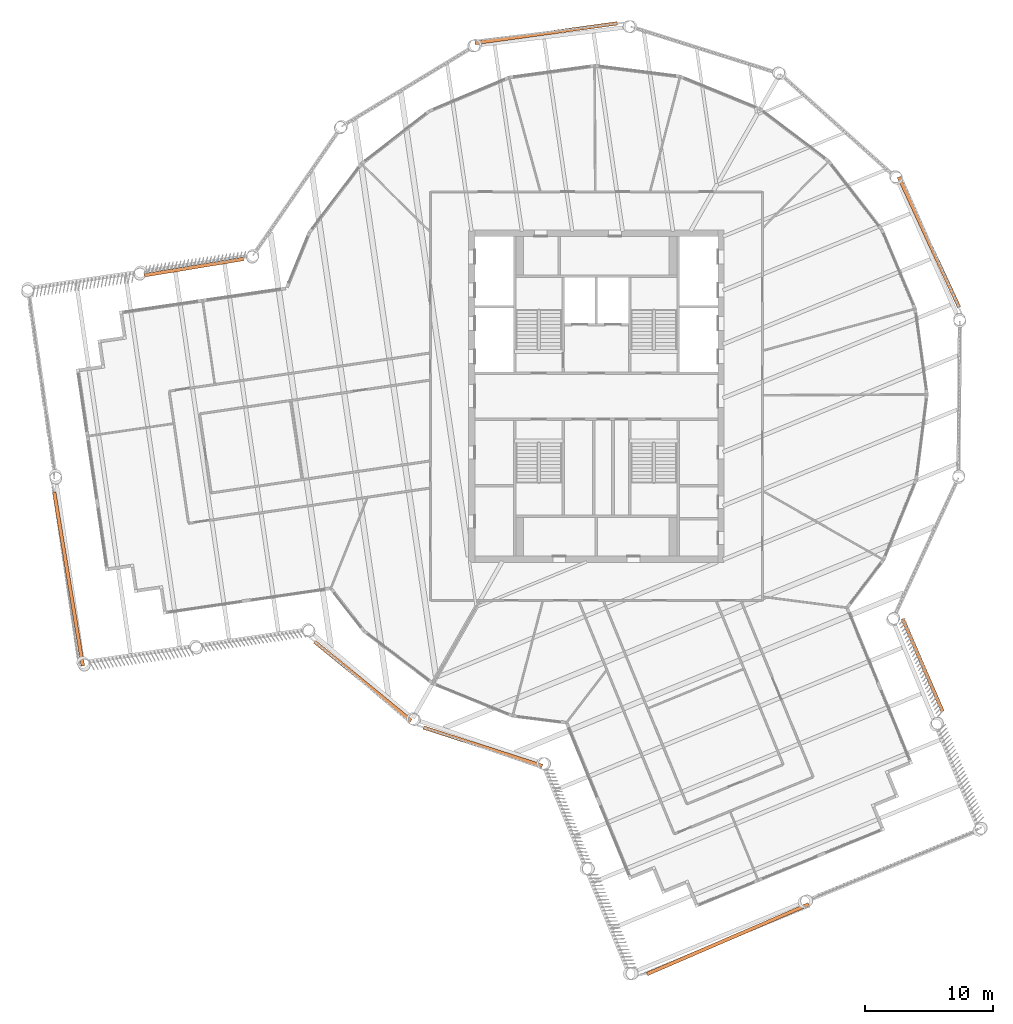
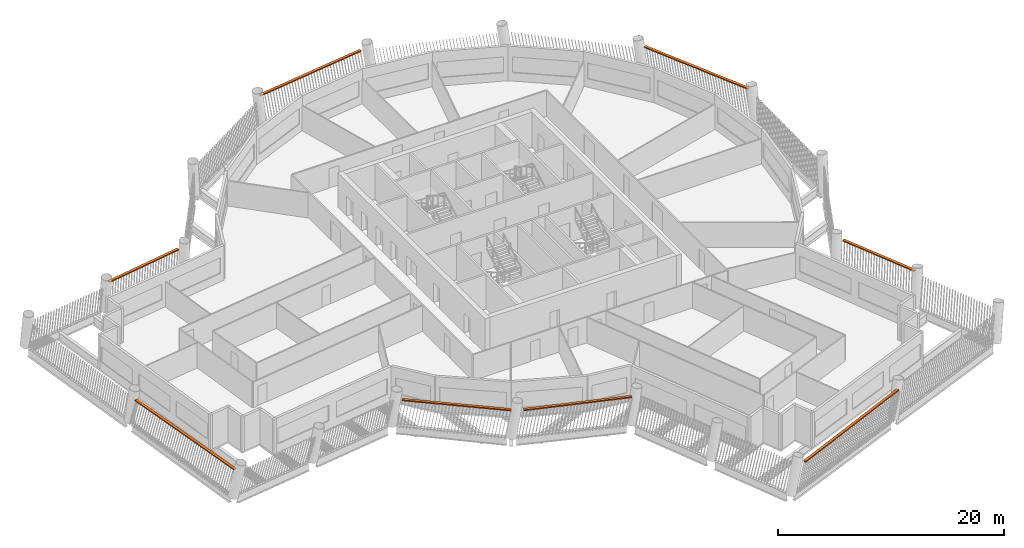
# One storey, part 15 of 15: 8 proxies.
"""IFC4 building model written with IfcOpenShell, lengths in metres."""

from ifc_helpers import new_model, si_unit, direction, frame, origin, origin_2d, place, context, subcontext, project, spatial, rectangle, extrude, material, type_object, element, save


model = new_model("IFC4")

# Units and contexts
model_context = context("Model", 3, precision=1e-05, world=origin(), true_north=direction((0.0, 1.0)))
body_context = subcontext(model_context, "Body", "Model", "MODEL_VIEW")
ifc_project = project(units=[si_unit("LENGTHUNIT", "METRE"), si_unit("AREAUNIT", "SQUARE_METRE"), si_unit("VOLUMEUNIT", "CUBIC_METRE"), si_unit("PLANEANGLEUNIT", "RADIAN"), si_unit("MASSUNIT", "GRAM", prefix="KILO")], contexts=[model_context])

# Site, building, storey
site_placement = place(None, origin())
site = spatial("IfcSite", under=ifc_project, at=site_placement, CompositionType="ELEMENT")
building_placement = place(site_placement, origin())
building = spatial("IfcBuilding", under=site, at=building_placement, Name="Tarsis Ring Headquarters", CompositionType="ELEMENT")
storey_placement = place(building_placement, frame((0.0, 0.0, 319.699951171875)))
storey = spatial("IfcBuildingStorey", under=building, at=storey_placement, Name="L75", CompositionType="ELEMENT", Elevation=319.699951171875)

# Proxies
ifc_material = material(Name="Structural steel S355", Category="steel")
building_element_proxy_type = type_object("IfcBuildingElementProxyType", Name="Screen bracket plate", PredefinedType="USERDEFINED", material=ifc_material)
proxy_1_placement = place(storey_placement, frame((-8.890380859375, -27.435302734375, 2.9677734375), z_axis=(0.0, 0.0, 1.0), x_axis=(0.951298822094, -0.308270256565, 0.0)))
element("IfcBuildingElementProxy", 1, at=proxy_1_placement, inside=storey, type_object=building_element_proxy_type, Name="Screen bracket L75-00", ObjectType="Bracket", PredefinedType="USERDEFINED", context=body_context, shape_type="SweptSolid", body=[
    extrude(rectangle(XDim=9.771728515625, YDim=0.280029296875, at=origin_2d()), origin(), (0.0, 0.0, 1.0), 0.1201171875),
])
proxy_2_placement = place(storey_placement, frame((10.2939453125, -42.49658203125, 2.9677734375), z_axis=(0.0, 0.0, 1.0), x_axis=(0.918031663543, 0.396507080307, 0.0)))
element("IfcBuildingElementProxy", 2, at=proxy_2_placement, inside=storey, type_object=building_element_proxy_type, Name="Screen bracket L75-03", ObjectType="Bracket", PredefinedType="USERDEFINED", context=body_context, shape_type="SweptSolid", body=[
    extrude(rectangle(XDim=13.800048828125, YDim=0.280029296875, at=origin_2d()), origin(), (0.0, 0.0, 1.0), 0.1201171875),
])
proxy_3_placement = place(storey_placement, frame((25.533447265625, -21.047607421875, 2.9677734375), z_axis=(0.0, 0.0, 1.0), x_axis=(-0.396507016216, 0.918031691224, 0.0)))
element("IfcBuildingElementProxy", 3, at=proxy_3_placement, inside=storey, type_object=building_element_proxy_type, Name="Screen bracket L75-06", ObjectType="Bracket", PredefinedType="USERDEFINED", context=body_context, shape_type="SweptSolid", body=[
    extrude(rectangle(XDim=7.90234375, YDim=0.280029296875, at=origin_2d()), origin(), (0.0, 0.0, 1.0), 0.1201171875),
])
for number, where, z_axis, x_axis, name in (
    (4, (26.034912109375, 12.055419921875, 2.9677734375), (0.0, 0.0, 1.0), (-0.420184843809, 0.907438536229, 0.0), "Screen bracket L75-09"),
    (5, (-3.930419921875, 28.420166015625, 2.9677734375), (0.0, 0.0, 1.0), (-0.990572350872, -0.13699057518, 0.0), "Screen bracket L75-12"),
):
    element("IfcBuildingElementProxy", number, at=place(storey_placement, frame(where, z_axis=z_axis, x_axis=x_axis)), inside=storey, type_object=building_element_proxy_type, Name=name, ObjectType="Bracket", PredefinedType="USERDEFINED", context=body_context, shape_type="SweptSolid", body=[
        extrude(rectangle(XDim=11.248779296875, YDim=0.280029296875, at=origin_2d()), origin(), (0.0, 0.0, 1.0), 0.1201171875),
    ])
proxy_4_placement = place(storey_placement, frame((-31.509521484375, 10.10498046875, 2.9677734375), z_axis=(0.0, 0.0, 1.0), x_axis=(-0.986685941369, -0.162637182416, 0.0)))
element("IfcBuildingElementProxy", 6, at=proxy_4_placement, inside=storey, type_object=building_element_proxy_type, Name="Screen bracket L75-15", ObjectType="Bracket", PredefinedType="USERDEFINED", context=body_context, shape_type="SweptSolid", body=[
    extrude(rectangle(XDim=7.90234375, YDim=0.280029296875, at=origin_2d()), origin(), (0.0, 0.0, 1.0), 0.1201171875),
])
proxy_5_placement = place(storey_placement, frame((-41.317626953125, -14.310302734375, 2.9677734375), z_axis=(0.0, 0.0, 1.0), x_axis=(0.162637165195, -0.986685944208, 0.0)))
element("IfcBuildingElementProxy", 7, at=proxy_5_placement, inside=storey, type_object=building_element_proxy_type, Name="Screen bracket L75-18", ObjectType="Bracket", PredefinedType="USERDEFINED", context=body_context, shape_type="SweptSolid", body=[
    extrude(rectangle(XDim=13.800048828125, YDim=0.280029296875, at=origin_2d()), origin(), (0.0, 0.0, 1.0), 0.1201171875),
])
proxy_6_placement = place(storey_placement, frame((-18.2763671875, -22.3095703125, 2.9677734375), z_axis=(0.0, 0.0, 1.0), x_axis=(0.773563937437, -0.633718261294, 0.0)))
element("IfcBuildingElementProxy", 8, at=proxy_6_placement, inside=storey, type_object=building_element_proxy_type, Name="Screen bracket L75-21", ObjectType="Bracket", PredefinedType="USERDEFINED", context=body_context, shape_type="SweptSolid", body=[
    extrude(rectangle(XDim=9.771728515625, YDim=0.280029296875, at=origin_2d()), origin(), (0.0, 0.0, 1.0), 0.1201171875),
])

save(model, "model.ifc")
